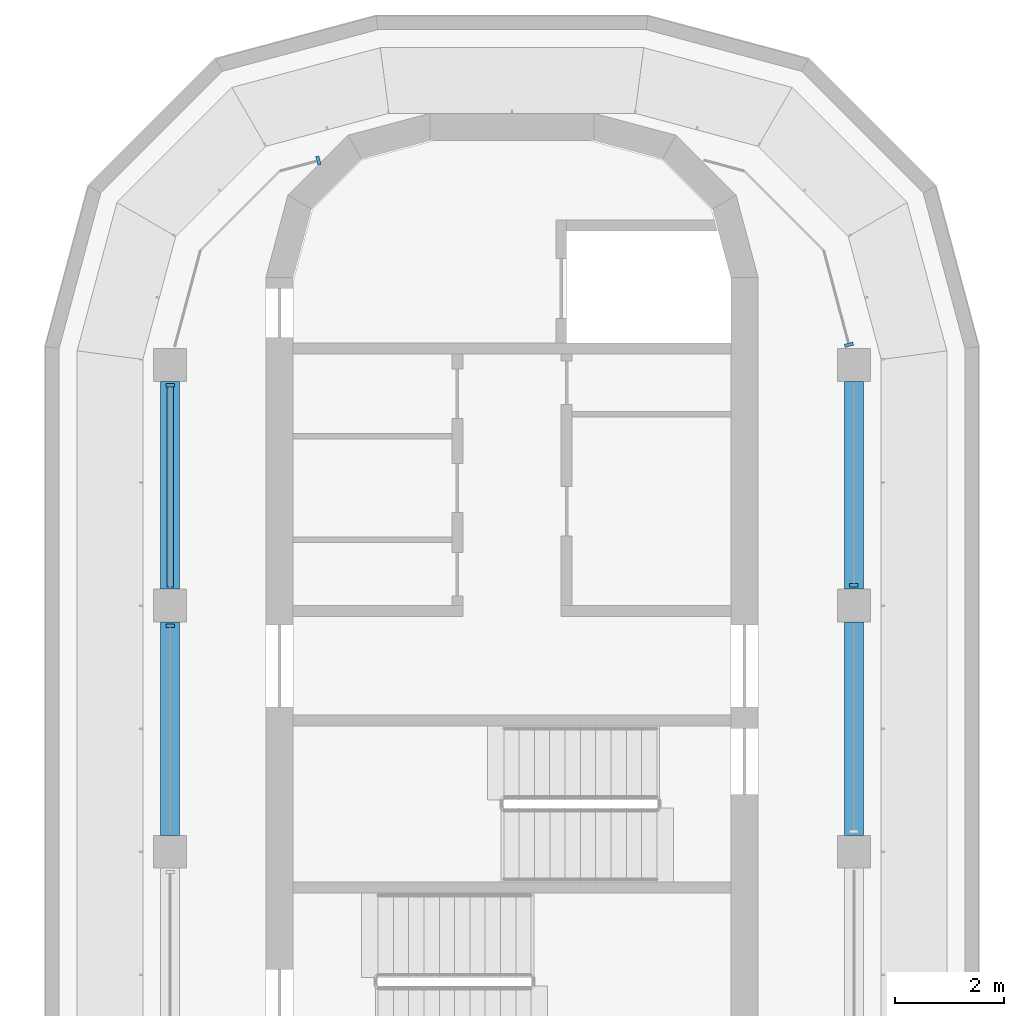
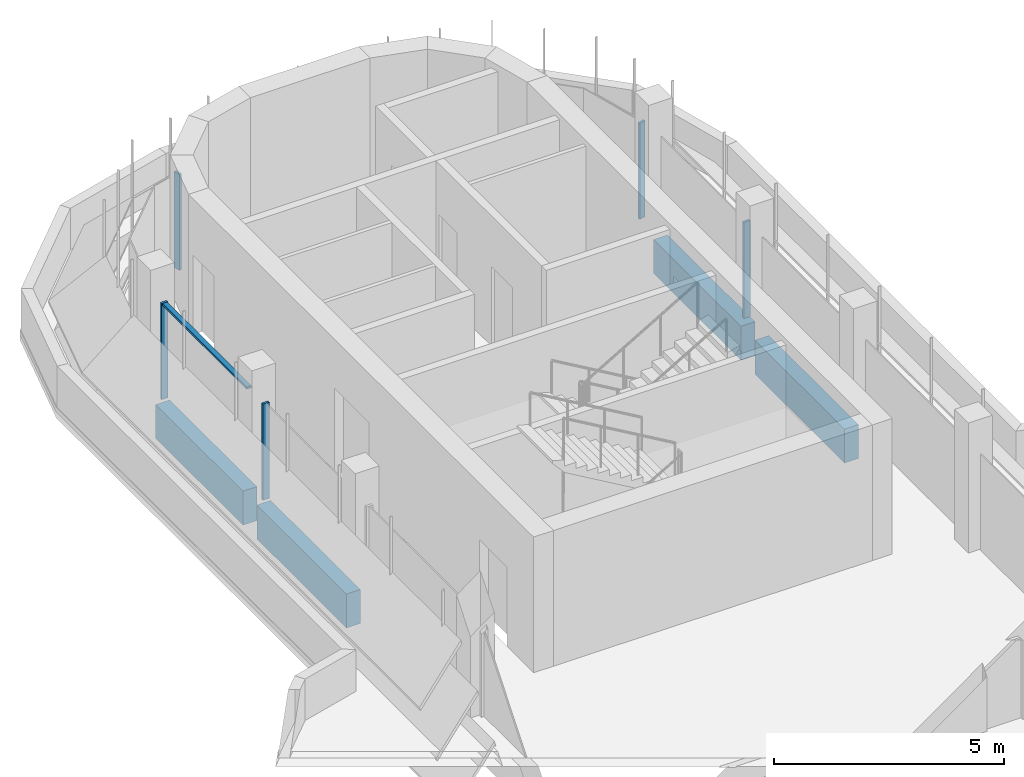
# One storey, part 4 of 12: 6 members, 4 beams, 4 elements without a shape of their own.
"""IFC4 building model written with IfcOpenShell, lengths in metres."""

from ifc_helpers import new_model, si_unit, direction, frame, origin, origin_2d, place, context, subcontext, project, spatial, polyline, rectangle, outline, extrude, source, transform, mapped, material, material_profile, profile_set, type_object, element, aggregate, save


model = new_model("IFC4")

# Units and contexts
model_context = context("Model", 3, precision=1e-05, world=origin(), true_north=direction((0.0, 1.0)))
body_context = subcontext(model_context, "Body", "Model", "MODEL_VIEW")
ifc_project = project(units=[si_unit("LENGTHUNIT", "METRE"), si_unit("AREAUNIT", "SQUARE_METRE"), si_unit("VOLUMEUNIT", "CUBIC_METRE"), si_unit("PLANEANGLEUNIT", "RADIAN"), si_unit("MASSUNIT", "GRAM", prefix="KILO")], contexts=[model_context])

# Site, building, storey
site_placement = place(None, origin())
site = spatial("IfcSite", under=ifc_project, at=site_placement, CompositionType="ELEMENT")
building_placement = place(site_placement, origin())
building = spatial("IfcBuilding", under=site, at=building_placement, Name="Zarbagh Exchange Tower", CompositionType="ELEMENT")
storey_placement = place(building_placement, frame((0.0, 0.0, 306.0)))
storey = spatial("IfcBuildingStorey", under=building, at=storey_placement, Name="L75", CompositionType="ELEMENT", Elevation=306.0)

# Beams
ifc_material_1 = material(Name="Concrete C40/50", Category="concrete")
ifc_material_profile = material_profile(ifc_material_1, rectangle(XDim=0.35009765625, YDim=0.89990234375, at=origin_2d()), Name="RC spandrel beam 350 x 900 C40/50")
ifc_profile_set = profile_set([ifc_material_profile], Name="Concrete C40/50")
beam_type = type_object("IfcBeamType", Name="RC spandrel beam 350 x 900 C40/50", PredefinedType="SPANDREL", material=ifc_profile_set)
beam_1_placement = place(storey_placement, frame((-6.25, 16.050048828125, -0.60009765625), z_axis=(0.0, 1.0, 0.0), x_axis=(-1.0, 0.0, 0.0)))
element("IfcBeam", 1, at=beam_1_placement, inside=storey, type_object=beam_type, Name="RC spandrel beam", PredefinedType="SPANDREL", context=body_context, shape_type="SweptSolid", body=[
    extrude(rectangle(XDim=0.35009765625, YDim=0.89990234375, at=origin_2d()), origin(), (0.0, 0.0, 1.0), 3.89990234375),
])
for number, where, z_axis, x_axis, name in (
    (2, (-6.25, 20.550048828125, -0.60009765625), (0.0, 1.0, 0.0), (-1.0, 0.0, 0.0), "RC spandrel beam"),
    (3, (6.25, 24.35009765625, -0.60009765625), (0.0, -1.0, 0.0), (1.0, 0.0, 0.0), "RC spandrel beam"),
):
    element("IfcBeam", number, at=place(storey_placement, frame(where, z_axis=z_axis, x_axis=x_axis)), inside=storey, type_object=beam_type, Name=name, PredefinedType="SPANDREL", context=body_context, shape_type="SweptSolid", body=[
        extrude(rectangle(XDim=0.35009765625, YDim=0.89990234375, at=origin_2d()), origin(), (0.0, 0.0, 1.0), 3.800048828125),
    ])
beam_2_placement = place(storey_placement, frame((6.25, 19.949951171875, -0.60009765625), z_axis=(0.0, -1.0, 0.0), x_axis=(1.0, 0.0, 0.0)))
element("IfcBeam", 4, at=beam_2_placement, inside=storey, type_object=beam_type, Name="RC spandrel beam", PredefinedType="SPANDREL", context=body_context, shape_type="SweptSolid", body=[
    extrude(rectangle(XDim=0.35009765625, YDim=0.89990234375, at=origin_2d()), origin(), (0.0, 0.0, 1.0), 3.89990234375),
])

# Curtain wall, member
ifc_material_2 = material(Name="Anodised aluminium frame and glazing", Category="aluminium")
curtain_wall_type = type_object("IfcCurtainWallType", Name="CWF Crown tier glazing", PredefinedType="NOTDEFINED", material=ifc_material_2)
curtain_wall_1_placement = place(storey_placement, origin())
curtain_wall_1 = element("IfcCurtainWall", 5, at=curtain_wall_1_placement, inside=storey, type_object=curtain_wall_type, Name="CWF50 curtain wall", PredefinedType="NOTDEFINED")
ifc_material_3 = material(Name="Anodised aluminium frame", Category="aluminium")
member_type_1 = type_object("IfcMemberType", Name="TRF Transom, anodised aluminium frame", PredefinedType="USERDEFINED", material=ifc_material_3)
shared_shape_1 = source(origin(), body_context, "Body", "SweptSolid", [
    extrude(outline(polyline([(-0.06005859375, -0.06005859375), (0.0, -0.06005859375), (0.0, 0.06005859375), (-0.06005859375, 0.06005859375), (-0.06005859375, -0.06005859375)])), origin(), (0.0, 0.0, 1.0), 3.659912109375),
])
placement = place(storey_placement, origin())
member_1 = element("IfcMember", 6, at=placement, type_object=member_type_1, Name="CWF50 transom 1.1", ObjectType="TRANSOM", PredefinedType="USERDEFINED", context=body_context, shape_type="MappedRepresentation", body=[
    mapped(shared_shape_1, transform((-6.25, 24.25, 2.550048828125), x_axis=(0.0, 0.0, 1.0), y_axis=(-1.0, 0.0, 0.0), z_axis=(0.0, -1.0, 0.0))),
])

curtain_wall_2_placement = place(storey_placement, origin())
curtain_wall_2 = element("IfcCurtainWall", 7, at=curtain_wall_2_placement, inside=storey, type_object=curtain_wall_type, Name="CWF49 curtain wall", PredefinedType="NOTDEFINED")
member_type_2 = type_object("IfcMemberType", Name="MUF Mullion, anodised aluminium frame", PredefinedType="MULLION", material=ifc_material_3)
shared_shape_2 = source(origin(), body_context, "Body", "SweptSolid", [
    extrude(outline(polyline([(0.0, -0.080078125), (0.06005859375, -0.080078125), (0.06005859375, 0.080078125), (0.0, 0.080078125), (0.0, -0.080078125)])), origin(), (0.0, 0.0, 1.0), 2.550048828125),
])
member_2 = element("IfcMember", 8, at=placement, type_object=member_type_2, Name="CWF49 mullion 9.1", PredefinedType="MULLION", context=body_context, shape_type="MappedRepresentation", body=[
    mapped(shared_shape_2, transform((6.25, 20.590087890625, 0.0), x_axis=(0.0, 1.0, 0.0), y_axis=(-1.0, 0.0, 0.0), z_axis=(0.0, 0.0, 1.0))),
])
aggregate(curtain_wall_2, [member_2])

curtain_wall_3_placement = place(storey_placement, origin())
curtain_wall_3 = element("IfcCurtainWall", 9, at=curtain_wall_3_placement, inside=storey, type_object=curtain_wall_type, Name="CWF21 curtain wall", PredefinedType="NOTDEFINED")
member_3 = element("IfcMember", 10, at=placement, type_object=member_type_2, Name="CWF21 mullion 1.1", PredefinedType="MULLION", context=body_context, shape_type="MappedRepresentation", body=[
    mapped(shared_shape_2, transform((6.16796875, 24.989990234375, 0.0), x_axis=(-0.258824779902, 0.965924289636, 0.0), y_axis=(-0.965924289636, -0.258824779902, 0.0), z_axis=(0.0, 0.0, 1.0))),
])
aggregate(curtain_wall_3, [member_3])

curtain_wall_4_placement = place(storey_placement, origin())
curtain_wall_4 = element("IfcCurtainWall", 11, at=curtain_wall_4_placement, inside=storey, type_object=curtain_wall_type, Name="CWF24 curtain wall", PredefinedType="NOTDEFINED")
member_4 = element("IfcMember", 12, at=placement, type_object=member_type_2, Name="CWF24 mullion 1.1", PredefinedType="MULLION", context=body_context, shape_type="MappedRepresentation", body=[
    mapped(shared_shape_2, transform((-3.510009765625, 28.394775390625, 0.0), x_axis=(-0.965924289636, -0.258824779902, 0.0), y_axis=(0.258824779902, -0.965924289636, 0.0), z_axis=(0.0, 0.0, 1.0))),
])
aggregate(curtain_wall_4, [member_4])

# Member
member_5 = element("IfcMember", 13, at=placement, type_object=member_type_2, Name="CWF50 mullion 1.1", PredefinedType="MULLION", context=body_context, shape_type="MappedRepresentation", body=[
    mapped(shared_shape_2, transform((-6.25, 24.31005859375, 0.0), x_axis=(0.0, -1.0, 0.0), y_axis=(1.0, 0.0, 0.0), z_axis=(0.0, 0.0, 1.0))),
])

member_6 = element("IfcMember", 14, at=placement, type_object=member_type_2, Name="CWF50 mullion 2.1", PredefinedType="MULLION", context=body_context, shape_type="MappedRepresentation", body=[
    mapped(shared_shape_2, transform((-6.25, 19.909912109375, 0.0), x_axis=(0.0, -1.0, 0.0), y_axis=(1.0, 0.0, 0.0), z_axis=(0.0, 0.0, 1.0))),
])

aggregate(curtain_wall_1, [member_5, member_1, member_6])

save(model, "model.ifc")
